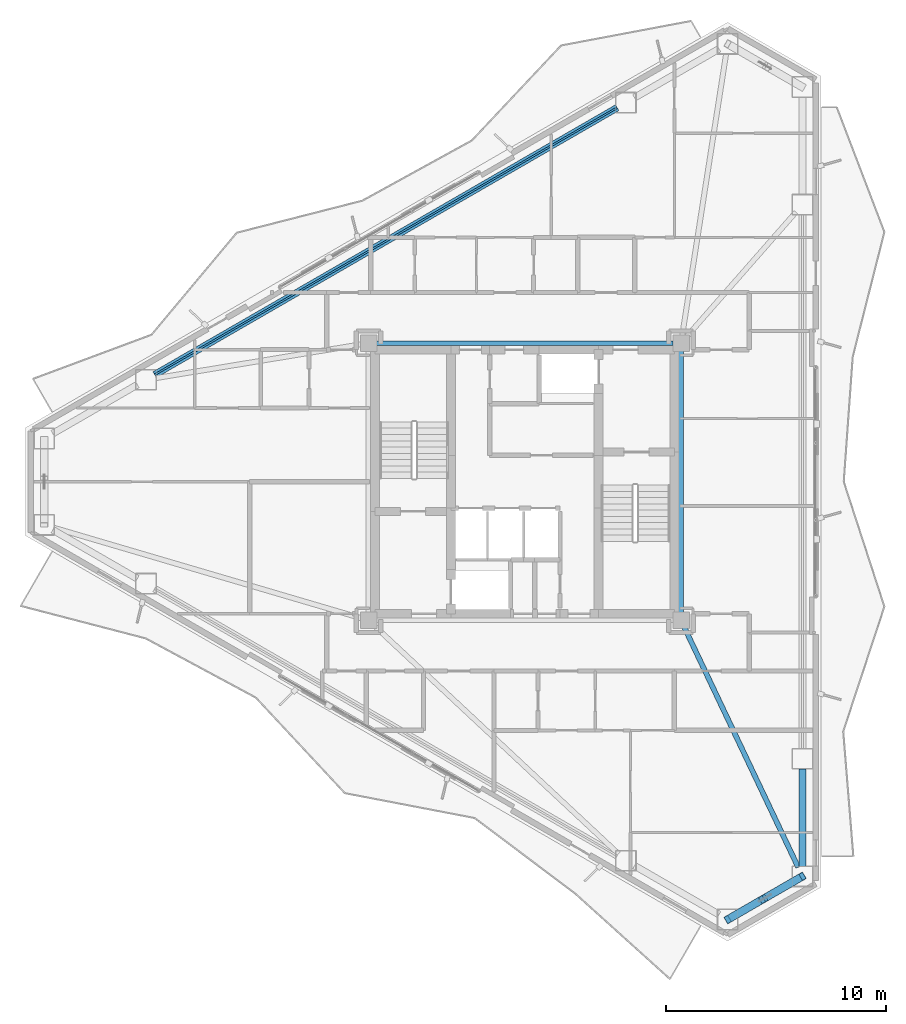
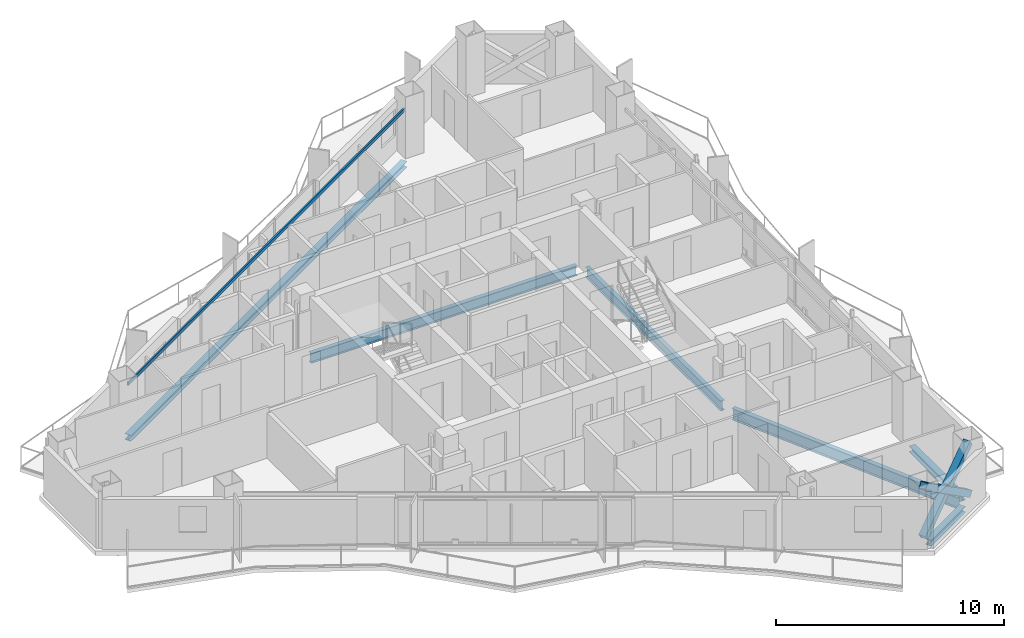
# One storey, part 6 of 19: 7 beams, 3 members.
"""IFC4 building model written with IfcOpenShell, lengths in metres."""

from ifc_helpers import new_model, si_unit, direction, frame, origin, origin_2d, place, context, subcontext, project, spatial, hollow_rectangle, i_section, extrude, material, material_profile, profile_set, type_object, element, save


model = new_model("IFC4")

# Units and contexts
model_context = context("Model", 3, precision=1e-05, world=origin(), true_north=direction((0.0, 1.0)))
body_context = subcontext(model_context, "Body", "Model", "MODEL_VIEW")
ifc_project = project(units=[si_unit("LENGTHUNIT", "METRE"), si_unit("AREAUNIT", "SQUARE_METRE"), si_unit("VOLUMEUNIT", "CUBIC_METRE"), si_unit("PLANEANGLEUNIT", "RADIAN"), si_unit("MASSUNIT", "GRAM", prefix="KILO")], contexts=[model_context])

# Site, building, storey
site_placement = place(None, origin())
site = spatial("IfcSite", under=ifc_project, at=site_placement, CompositionType="ELEMENT")
building_placement = place(site_placement, origin())
building = spatial("IfcBuilding", under=site, at=building_placement, Name="Mersakhor Tower and Convention Hall", CompositionType="ELEMENT")
storey_placement = place(building_placement, frame((0.0, 0.0, 131.10009765625)))
storey = spatial("IfcBuildingStorey", under=building, at=storey_placement, Name="L36", CompositionType="ELEMENT", Elevation=131.10009765625)

# Beams
ifc_material_1 = material(Name="Steel S355", Category="steel")
ifc_material_profile_1 = material_profile(ifc_material_1, i_section(OverallWidth=0.2099609375, OverallDepth=0.53662109375, WebThickness=0.0107421875, FlangeThickness=0.017333984375, at=origin_2d()), Name="UB 533x210x101")
ifc_profile_set_1 = profile_set([ifc_material_profile_1], Name="Steel S355")
beam_type_1 = type_object("IfcBeamType", Name="BM-FB-533", PredefinedType="BEAM", material=ifc_profile_set_1)
beam_1_placement = place(storey_placement, frame((22.2548828125, 33.050048828125, -0.50830078125), z_axis=(1.0, 0.0, 0.0), x_axis=(0.0, 1.0, 0.0)))
element("IfcBeam", 1, at=beam_1_placement, inside=storey, type_object=beam_type_1, Name="L36 Core Ring Tie Beam CRB-2", PredefinedType="BEAM", context=body_context, shape_type="SweptSolid", body=[
    extrude(i_section(OverallWidth=0.2099609375, OverallDepth=0.53662109375, WebThickness=0.0107421875, FlangeThickness=0.017333984375, at=origin_2d()), origin(), (0.0, 0.0, 1.0), 13.490234375),
])
beam_2_placement = place(storey_placement, frame((36.10009765625, 32.695068359375, -0.50830078125), z_axis=(0.0, -1.0, 0.0), x_axis=(1.0, 0.0, 0.0)))
element("IfcBeam", 2, at=beam_2_placement, inside=storey, type_object=beam_type_1, Name="L36 Core Ring Tie Beam CRB-3", PredefinedType="BEAM", context=body_context, shape_type="SweptSolid", body=[
    extrude(i_section(OverallWidth=0.2099609375, OverallDepth=0.53662109375, WebThickness=0.0107421875, FlangeThickness=0.017333984375, at=origin_2d()), origin(), (0.0, 0.0, 1.0), 11.89013671875),
])
ifc_material_2 = material(Name="Steel S355", Category="steel")
ifc_material_profile_2 = material_profile(ifc_material_2, hollow_rectangle(XDim=0.080078125, YDim=0.179931640625, WallThickness=0.008056640625, at=origin_2d()), Name="RHS 180x80x8")
ifc_profile_set_2 = profile_set([ifc_material_profile_2], Name="Steel S355")
beam_type_2 = type_object("IfcBeamType", Name="BM-GRT-RHS180", PredefinedType="USERDEFINED", material=ifc_profile_set_2)
beam_3_placement = place(storey_placement, frame((12.182373046875, 31.61181640625, 2.47998046875), z_axis=(0.866027433267, 0.499996484816, 0.0), x_axis=(-0.499996484816, 0.866027433267, 0.0)))
element("IfcBeam", 3, at=beam_3_placement, inside=storey, type_object=beam_type_2, Name="L36 Facade Support Girt GRT-F1", ObjectType="GIRT", PredefinedType="USERDEFINED", context=body_context, shape_type="SweptSolid", body=[
    extrude(hollow_rectangle(XDim=0.080078125, YDim=0.179931640625, WallThickness=0.008056640625, at=origin_2d()), origin(), (0.0, 0.0, 1.0), 24.267333984375),
])
ifc_material_3 = material(Name="Steel S355", Category="steel")
ifc_material_profile_3 = material_profile(ifc_material_3, i_section(OverallWidth=0.22900390625, OverallDepth=0.6123046875, WebThickness=0.011962890625, FlangeThickness=0.01953125, at=origin_2d()), Name="UB 610x229x125")
ifc_profile_set_3 = profile_set([ifc_material_profile_3], Name="Steel S355")
beam_type_3 = type_object("IfcBeamType", Name="BM-PR-610", PredefinedType="BEAM", material=ifc_profile_set_3)
beam_4_placement = place(storey_placement, frame((36.252197265625, 20.12939453125, -0.546142578125), z_axis=(0.428664675599, -0.903463666061, 0.0), x_axis=(0.903463666061, 0.428664675599, 0.0)))
element("IfcBeam", 4, at=beam_4_placement, inside=storey, type_object=beam_type_3, Name="L36 Primary Floor Girder FG-4", PredefinedType="BEAM", context=body_context, shape_type="SweptSolid", body=[
    extrude(i_section(OverallWidth=0.22900390625, OverallDepth=0.6123046875, WebThickness=0.011962890625, FlangeThickness=0.01953125, at=origin_2d()), origin(), (0.0, 0.0, 1.0), 12.065673828125),
])
ifc_material_4 = material(Name="Steel S355", Category="steel")
ifc_material_profile_4 = material_profile(ifc_material_4, i_section(OverallWidth=0.30908203125, OverallDepth=0.320556640625, WebThickness=0.013916015625, FlangeThickness=0.021728515625, at=origin_2d()), Name="UC 305x305x137")
ifc_profile_set_4 = profile_set([ifc_material_profile_4], Name="Steel S355")
beam_type_4 = type_object("IfcBeamType", Name="BM-SPD-UC305", PredefinedType="SPANDREL", material=ifc_profile_set_4)
beam_5_placement = place(storey_placement, frame((12.182373046875, 31.61181640625, -0.400390625), z_axis=(0.866027433267, 0.499996484816, 0.0), x_axis=(-0.499996484816, 0.866027433267, 0.0)))
element("IfcBeam", 5, at=beam_5_placement, inside=storey, type_object=beam_type_4, Name="L36 Perimeter Spandrel Beam SPB-02", PredefinedType="SPANDREL", context=body_context, shape_type="SweptSolid", body=[
    extrude(i_section(OverallWidth=0.30908203125, OverallDepth=0.320556640625, WebThickness=0.013916015625, FlangeThickness=0.021728515625, at=origin_2d()), origin(), (0.0, 0.0, 1.0), 24.267333984375),
])
beam_6_placement = place(storey_placement, frame((41.619140625, 13.706298828125, -0.400390625), z_axis=(0.0, -1.0, 0.0), x_axis=(1.0, 0.0, 0.0)))
element("IfcBeam", 6, at=beam_6_placement, inside=storey, type_object=beam_type_4, Name="L36 Perimeter Spandrel Beam SPB-07", PredefinedType="SPANDREL", context=body_context, shape_type="SweptSolid", body=[
    extrude(i_section(OverallWidth=0.30908203125, OverallDepth=0.320556640625, WebThickness=0.013916015625, FlangeThickness=0.021728515625, at=origin_2d()), origin(), (0.0, 0.0, 1.0), 4.433837890625),
])
beam_7_placement = place(storey_placement, frame((41.22509765625, 8.58984375, -0.400390625), z_axis=(-0.86604667077, -0.499963162692, 0.0), x_axis=(0.499963162692, -0.86604667077, 0.0)))
element("IfcBeam", 7, at=beam_7_placement, inside=storey, type_object=beam_type_4, Name="L36 Perimeter Spandrel Beam SPB-08", PredefinedType="SPANDREL", context=body_context, shape_type="SweptSolid", body=[
    extrude(i_section(OverallWidth=0.30908203125, OverallDepth=0.320556640625, WebThickness=0.013916015625, FlangeThickness=0.021728515625, at=origin_2d()), origin(), (0.0, 0.0, 1.0), 3.014404296875),
])

# Members
ifc_material_5 = material(Name="Steel S460", Category="steel")
ifc_material_profile_5 = material_profile(ifc_material_5, hollow_rectangle(XDim=0.35009765625, YDim=0.35009765625, WallThickness=0.02001953125, at=origin_2d()), Name="SHS 350x350x20")
ifc_profile_set_5 = profile_set([ifc_material_profile_5], Name="Steel S460")
member_type = type_object("IfcMemberType", Name="MB-BRC-SHS350", PredefinedType="BRACE", material=ifc_profile_set_5)
member_placement = place(storey_placement, frame((41.619140625, 8.8173828125, 0.14990234375), z_axis=(-0.70838533923, -0.408971551713, 0.575267312693), x_axis=(0.499986324622, -0.866033299124, 0.0)))
element("IfcMember", 8, at=member_placement, inside=storey, type_object=member_type, Name="L36 Chamfer Braced Frame Diagonal CB-2A", PredefinedType="BRACE", context=body_context, shape_type="SweptSolid", body=[
    extrude(hollow_rectangle(XDim=0.35009765625, YDim=0.35009765625, WallThickness=0.02001953125, at=origin_2d()), origin(), (0.0, 0.0, 1.0), 4.7978515625),
])
for number, where, z_axis, x_axis, name in (
    (9, (38.220458984375, 6.855224609375, 0.14990234375), (0.708409139881, 0.409012716899, 0.575208734242), (-0.500011469263, 0.866018781901, 0.0), "L36 Chamfer Braced Frame Diagonal CB-2B Lower Half"),
    (10, (40.05712890625, 7.91552734375, 1.6416015625), (0.708409139881, 0.409012716899, 0.575208734242), (-0.500011469263, 0.866018781901, 0.0), "L36 Chamfer Braced Frame Diagonal CB-2B Upper Half"),
):
    element("IfcMember", number, at=place(storey_placement, frame(where, z_axis=z_axis, x_axis=x_axis)), inside=storey, type_object=member_type, Name=name, PredefinedType="BRACE", context=body_context, shape_type="SweptSolid", body=[
        extrude(hollow_rectangle(XDim=0.35009765625, YDim=0.35009765625, WallThickness=0.02001953125, at=origin_2d()), origin(), (0.0, 0.0, 1.0), 2.205078125),
    ])

save(model, "model.ifc")
